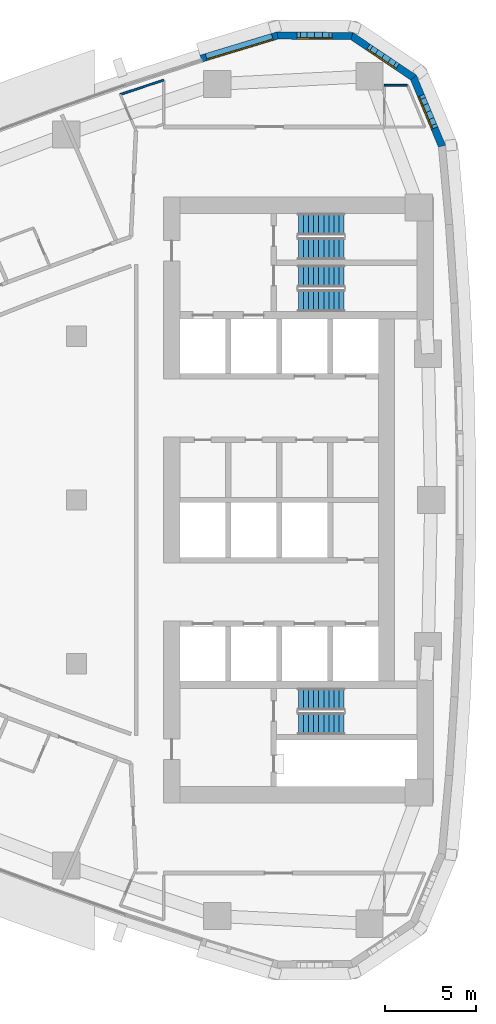
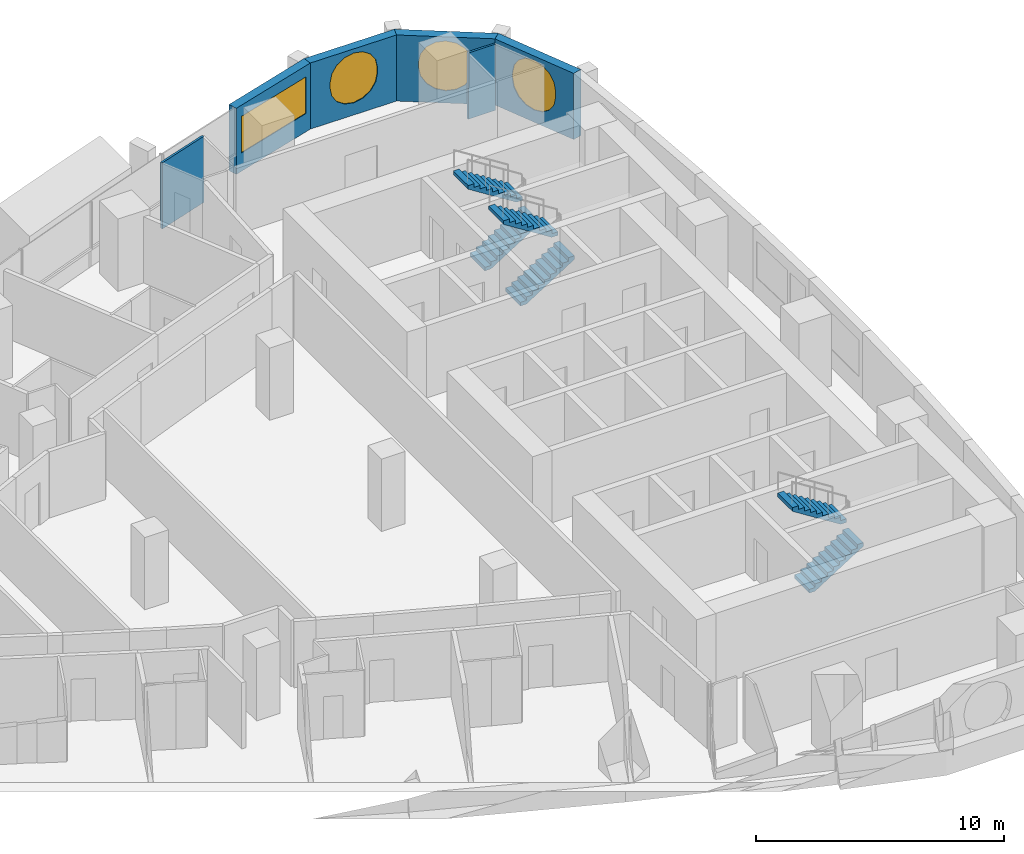
# One storey, part 13 of 17: 6 stair flights, 6 walls, 4 windows, 4 openings, 3 elements without a shape of their own.
"""IFC4 building model written with IfcOpenShell, lengths in metres."""

from ifc_helpers import new_model, si_unit, direction, frame, frame_2d, origin, place, context, subcontext, project, spatial, polyline, rectangle, outline, extrude, material, layer, layer_set, type_object, element, fill, aggregate, save


model = new_model("IFC4")

# Units and contexts
model_context = context("Model", 3, precision=1e-05, world=origin(), true_north=direction((0.0, 1.0)))
body_context = subcontext(model_context, "Body", "Model", "MODEL_VIEW")
ifc_project = project(units=[si_unit("LENGTHUNIT", "METRE"), si_unit("AREAUNIT", "SQUARE_METRE"), si_unit("VOLUMEUNIT", "CUBIC_METRE"), si_unit("PLANEANGLEUNIT", "RADIAN"), si_unit("MASSUNIT", "GRAM", prefix="KILO")], contexts=[model_context])

# Site, building, storey
site_placement = place(None, origin())
site = spatial("IfcSite", under=ifc_project, at=site_placement, CompositionType="ELEMENT")
building_placement = place(site_placement, origin())
building = spatial("IfcBuilding", under=site, at=building_placement, Name="Ostrand Prow Hotel Tower", CompositionType="ELEMENT")
storey_placement = place(building_placement, frame((0.0, 0.0, 151.5)))
storey = spatial("IfcBuildingStorey", under=building, at=storey_placement, Name="L37", CompositionType="ELEMENT", Elevation=151.5)

# Walls
ifc_material_1 = material(Name="Plasterboard partition")
ifc_layer_1 = layer(ifc_material_1, 0.10009765625)
ifc_layer_set_1 = layer_set([ifc_layer_1], Name="Plasterboard partition")
wall_type_1 = type_object("IfcWallType", Name="Partition 100 bathroom wall", PredefinedType="PARTITIONING", material=ifc_layer_set_1)
wall_1_placement = place(storey_placement, frame((61.9375, 22.800048828125, 0.0), z_axis=(0.0, 0.0, 1.0), x_axis=(1.0, 0.0, 0.0)))
element("IfcWall", 1, at=wall_1_placement, inside=storey, type_object=wall_type_1, Name="BATHROOM WALL", PredefinedType="PARTITIONING", context=body_context, shape_type="SweptSolid", body=[
    extrude(rectangle(XDim=1.2607421875, YDim=0.10009765625, at=frame_2d((0.63037109375, 0.0))), origin(), (0.0, 0.0, 1.0), 3.25),
])
wall_2_placement = place(storey_placement, frame((47.416015625, 22.289306640625, 0.0), z_axis=(0.0, 0.0, 1.0), x_axis=(0.949844078437, 0.312723882455, 0.0)))
element("IfcWall", 2, at=wall_2_placement, inside=storey, type_object=wall_type_1, Name="BATHROOM WALL", PredefinedType="PARTITIONING", context=body_context, shape_type="SweptSolid", body=[
    extrude(rectangle(XDim=2.510009765625, YDim=0.10009765625, at=frame_2d((1.2548828125, 0.0))), origin(), (0.0, 0.0, 1.0), 3.25),
])

# Wall, opening, window
ifc_material_2 = material(Name="Precast concrete C40/50", Category="concrete")
ifc_layer_2 = layer(ifc_material_2, 0.39990234375)
ifc_layer_set_2 = layer_set([ifc_layer_2], Name="Precast concrete C40/50")
wall_type_2 = type_object("IfcWallType", Name="Stone-faced precast wall 400 mm", PredefinedType="NOTDEFINED", material=ifc_layer_set_2)
wall_3_placement = place(storey_placement, frame((65.097900390625, 19.447021484375, 0.0), z_axis=(0.0, 0.0, 1.0), x_axis=(-0.383817293519, 0.923409056267, 0.0)))
wall_3 = element("IfcWall", 3, at=wall_3_placement, inside=storey, type_object=wall_type_2, Name="Stone-faced wall back 14", PredefinedType="NOTDEFINED", context=body_context, shape_type="SweptSolid", body=[
    extrude(outline(polyline([(-0.030517578125, -0.199951171875), (4.14453125, -0.199951171875), (4.02392578125, 0.199951171875), (0.030517578125, 0.199951171875), (-0.030517578125, -0.199951171875)])), origin(), (0.0, 0.0, 1.0), 3.25),
])
opening_1_placement = place(wall_3_placement, frame((0.94189453125, 0.0, 0.60009765625)))
opening_1 = element("IfcOpeningElement", 4, at=opening_1_placement, cuts=wall_3, Name="Opening WP1", PredefinedType="OPENING", context=body_context, shape_type="SweptSolid", body=[
    extrude(outline(polyline([(0.0, 1.35009765625), (0.083740234375, 1.77099609375), (0.322265625, 2.127685546875), (0.678955078125, 2.3662109375), (1.10009765625, 2.449951171875), (1.52099609375, 2.3662109375), (1.877685546875, 2.127685546875), (2.1162109375, 1.77099609375), (2.199951171875, 1.35009765625), (2.199951171875, 1.10009765625), (2.1162109375, 0.678955078125), (1.877685546875, 0.322265625), (1.52099609375, 0.083740234375), (1.10009765625, 0.0), (0.678955078125, 0.083740234375), (0.322265625, 0.322265625), (0.083740234375, 0.678955078125), (0.0, 1.099853515625), (0.0, 1.35009765625)])), frame((0.0, 0.2099609375, 0.0), z_axis=(0.0, -1.0, 0.0), x_axis=(1.0, 0.0, 0.0)), (0.0, 0.0, 1.0), 0.419921875),
])
ifc_material_3 = material(Name="Insulated glass in bronze frame", Category="glass")
window_type_1 = type_object("IfcWindowType", Name="Round-ended prow window 2200x2450", PartitioningType="SINGLE_PANEL", PredefinedType="WINDOW", material=ifc_material_3)
window_1_placement = place(opening_1_placement, origin())
window_1 = element("IfcWindow", 5, at=window_1_placement, inside=storey, type_object=window_type_1, Name="Window back 14.1", OverallHeight=2.449951171875, OverallWidth=2.199951171875, PartitioningType="SINGLE_PANEL", PredefinedType="WINDOW", context=body_context, shape_type="SweptSolid", body=[
    extrude(outline(polyline([(0.0, 1.35009765625), (0.083740234375, 1.77099609375), (0.322265625, 2.127685546875), (0.678955078125, 2.3662109375), (1.10009765625, 2.449951171875), (1.52099609375, 2.3662109375), (1.877685546875, 2.127685546875), (2.1162109375, 1.77099609375), (2.199951171875, 1.35009765625), (2.199951171875, 1.10009765625), (2.1162109375, 0.678955078125), (1.877685546875, 0.322265625), (1.52099609375, 0.083740234375), (1.10009765625, 0.0), (0.678955078125, 0.083740234375), (0.322265625, 0.322265625), (0.083740234375, 0.678955078125), (0.0, 1.099853515625), (0.0, 1.35009765625)])), frame((0.0, 0.169921875, 0.0), z_axis=(0.0, -1.0, 0.0), x_axis=(1.0, 0.0, 0.0)), (0.0, 0.0, 1.0), 0.06005859375),
])
fill(opening_1, window_1)

wall_4_placement = place(storey_placement, frame((63.5302734375, 23.218505859375, 0.0), z_axis=(0.0, 0.0, 1.0), x_axis=(-0.829642062482, 0.558295663749, 0.0)))
wall_4 = element("IfcWall", 6, at=wall_4_placement, inside=storey, type_object=wall_type_2, Name="Stone-faced wall back 15", PredefinedType="NOTDEFINED", context=body_context, shape_type="SweptSolid", body=[
    extrude(outline(polyline([(-0.060302734375, -0.199951171875), (4.144287109375, -0.199951171875), (4.023681640625, 0.199951171875), (0.060302734375, 0.199951171875), (-0.060302734375, -0.199951171875)])), origin(), (0.0, 0.0, 1.0), 3.25),
])
opening_2_placement = place(wall_4_placement, frame((0.94189453125, 0.0, 0.60009765625)))
opening_2 = element("IfcOpeningElement", 7, at=opening_2_placement, cuts=wall_4, Name="Opening WP1", PredefinedType="OPENING", context=body_context, shape_type="SweptSolid", body=[
    extrude(outline(polyline([(0.0, 1.35009765625), (0.083740234375, 1.77099609375), (0.322265625, 2.127685546875), (0.678955078125, 2.3662109375), (1.10009765625, 2.449951171875), (1.52099609375, 2.3662109375), (1.877685546875, 2.127685546875), (2.1162109375, 1.77099609375), (2.199951171875, 1.35009765625), (2.199951171875, 1.10009765625), (2.1162109375, 0.678955078125), (1.877685546875, 0.322265625), (1.52099609375, 0.083740234375), (1.10009765625, 0.0), (0.678955078125, 0.083740234375), (0.322265625, 0.322265625), (0.083740234375, 0.678955078125), (0.0, 1.099853515625), (0.0, 1.35009765625)])), frame((0.0, 0.2099609375, 0.0), z_axis=(0.0, -1.0, 0.0), x_axis=(1.0, 0.0, 0.0)), (0.0, 0.0, 1.0), 0.419921875),
])
window_2_placement = place(opening_2_placement, origin())
window_2 = element("IfcWindow", 8, at=window_2_placement, inside=storey, type_object=window_type_1, Name="Window back 15.1", OverallHeight=2.449951171875, OverallWidth=2.199951171875, PartitioningType="SINGLE_PANEL", PredefinedType="WINDOW", context=body_context, shape_type="SweptSolid", body=[
    extrude(outline(polyline([(0.0, 1.35009765625), (0.083740234375, 1.77099609375), (0.322265625, 2.127685546875), (0.678955078125, 2.3662109375), (1.10009765625, 2.449951171875), (1.52099609375, 2.3662109375), (1.877685546875, 2.127685546875), (2.1162109375, 1.77099609375), (2.199951171875, 1.35009765625), (2.199951171875, 1.10009765625), (2.1162109375, 0.678955078125), (1.877685546875, 0.322265625), (1.52099609375, 0.083740234375), (1.10009765625, 0.0), (0.678955078125, 0.083740234375), (0.322265625, 0.322265625), (0.083740234375, 0.678955078125), (0.0, 1.099853515625), (0.0, 1.35009765625)])), frame((0.0, 0.169921875, 0.0), z_axis=(0.0, -1.0, 0.0), x_axis=(1.0, 0.0, 0.0)), (0.0, 0.0, 1.0), 0.06005859375),
])
fill(opening_2, window_2)

wall_5_placement = place(storey_placement, frame((60.14208984375, 25.49853515625, 0.0), z_axis=(0.0, 0.0, 1.0), x_axis=(-0.99996933771, 0.007830941131, 0.0)))
wall_5 = element("IfcWall", 9, at=wall_5_placement, inside=storey, type_object=wall_type_2, Name="Stone-faced wall back 16", PredefinedType="NOTDEFINED", context=body_context, shape_type="SweptSolid", body=[
    extrude(outline(polyline([(-0.060302734375, -0.199951171875), (4.11474609375, -0.199951171875), (4.0537109375, 0.199951171875), (0.060302734375, 0.199951171875), (-0.060302734375, -0.199951171875)])), origin(), (0.0, 0.0, 1.0), 3.25),
])
opening_3_placement = place(wall_5_placement, frame((0.94189453125, 0.0, 0.60009765625)))
opening_3 = element("IfcOpeningElement", 10, at=opening_3_placement, cuts=wall_5, Name="Opening WP1", PredefinedType="OPENING", context=body_context, shape_type="SweptSolid", body=[
    extrude(outline(polyline([(0.0, 1.35009765625), (0.083740234375, 1.77099609375), (0.322265625, 2.127685546875), (0.678955078125, 2.3662109375), (1.10009765625, 2.449951171875), (1.52099609375, 2.3662109375), (1.877685546875, 2.127685546875), (2.1162109375, 1.77099609375), (2.199951171875, 1.35009765625), (2.199951171875, 1.10009765625), (2.1162109375, 0.678955078125), (1.877685546875, 0.322265625), (1.52099609375, 0.083740234375), (1.10009765625, 0.0), (0.678955078125, 0.083740234375), (0.322265625, 0.322265625), (0.083740234375, 0.678955078125), (0.0, 1.099853515625), (0.0, 1.35009765625)])), frame((0.0, 0.2099609375, 0.0), z_axis=(0.0, -1.0, 0.0), x_axis=(1.0, 0.0, 0.0)), (0.0, 0.0, 1.0), 0.419921875),
])
window_3_placement = place(opening_3_placement, origin())
window_3 = element("IfcWindow", 11, at=window_3_placement, inside=storey, type_object=window_type_1, Name="Window back 16.1", OverallHeight=2.449951171875, OverallWidth=2.199951171875, PartitioningType="SINGLE_PANEL", PredefinedType="WINDOW", context=body_context, shape_type="SweptSolid", body=[
    extrude(outline(polyline([(0.0, 1.35009765625), (0.083740234375, 1.77099609375), (0.322265625, 2.127685546875), (0.678955078125, 2.3662109375), (1.10009765625, 2.449951171875), (1.52099609375, 2.3662109375), (1.877685546875, 2.127685546875), (2.1162109375, 1.77099609375), (2.199951171875, 1.35009765625), (2.199951171875, 1.10009765625), (2.1162109375, 0.678955078125), (1.877685546875, 0.322265625), (1.52099609375, 0.083740234375), (1.10009765625, 0.0), (0.678955078125, 0.083740234375), (0.322265625, 0.322265625), (0.083740234375, 0.678955078125), (0.0, 1.099853515625), (0.0, 1.35009765625)])), frame((0.0, 0.169921875, 0.0), z_axis=(0.0, -1.0, 0.0), x_axis=(1.0, 0.0, 0.0)), (0.0, 0.0, 1.0), 0.06005859375),
])
fill(opening_3, window_3)

wall_6_placement = place(storey_placement, frame((56.05810546875, 25.530517578125, 0.0), z_axis=(0.0, 0.0, 1.0), x_axis=(-0.956964488344, -0.290205044837, 0.0)))
wall_6 = element("IfcWall", 12, at=wall_6_placement, inside=storey, type_object=wall_type_2, Name="Stone-faced wall back 17", PredefinedType="NOTDEFINED", context=body_context, shape_type="SweptSolid", body=[
    extrude(outline(polyline([(-0.030517578125, -0.199951171875), (4.387939453125, -0.199951171875), (4.387939453125, 0.199951171875), (0.030517578125, 0.199951171875), (-0.030517578125, -0.199951171875)])), origin(), (0.0, 0.0, 1.0), 3.25),
])
opening_4_placement = place(wall_6_placement, frame((0.2939453125, 0.0, 0.89990234375)))
opening_4 = element("IfcOpeningElement", 13, at=opening_4_placement, cuts=wall_6, Name="Opening WS3-38", PredefinedType="OPENING", context=body_context, shape_type="SweptSolid", body=[
    extrude(rectangle(XDim=3.800048828125, YDim=1.800048828125, at=frame_2d((1.89990234375, 0.89990234375))), frame((0.0, 0.2099609375, 0.0), z_axis=(0.0, -1.0, 0.0), x_axis=(1.0, 0.0, 0.0)), (0.0, 0.0, 1.0), 0.419921875),
])
ifc_material_4 = material(Name="Insulated glass in bronze frame", Category="glass")
window_type_2 = type_object("IfcWindowType", Name="Strip window 3800x1800", PartitioningType="SINGLE_PANEL", PredefinedType="WINDOW", material=ifc_material_4)
window_4_placement = place(opening_4_placement, origin())
window_4 = element("IfcWindow", 14, at=window_4_placement, inside=storey, type_object=window_type_2, Name="Window back 17.1", OverallHeight=1.800048828125, OverallWidth=3.800048828125, PartitioningType="SINGLE_PANEL", PredefinedType="WINDOW", context=body_context, shape_type="SweptSolid", body=[
    extrude(rectangle(XDim=3.800048828125, YDim=1.800048828125, at=frame_2d((1.89990234375, 0.89990234375))), frame((0.0, 0.169921875, 0.0), z_axis=(0.0, -1.0, 0.0), x_axis=(1.0, 0.0, 0.0)), (0.0, 0.0, 1.0), 0.06005859375),
])
fill(opening_4, window_4)

# Stair, stair flights
ifc_material_5 = material(Name="Concrete C40/50", Category="concrete")
stair_type = type_object("IfcStairType", Name="Exit stair 1200 upper zone", PredefinedType="HALF_TURN_STAIR", material=ifc_material_5)
stair_1_placement = place(storey_placement, origin())
stair_1 = element("IfcStair", 15, at=stair_1_placement, inside=storey, type_object=stair_type, Name="L37 ST1C", PredefinedType="HALF_TURN_STAIR")
ifc_material_6 = material(Name="Concrete C40/50", Category="concrete")
stair_flight_type = type_object("IfcStairFlightType", Name="Stair flight 1200 concrete", PredefinedType="STRAIGHT", material=ifc_material_6)
stair_flight_1_placement = place(storey_placement, frame((57.199951171875, 10.949951171875, 0.0), z_axis=(0.0, 0.0, 1.0), x_axis=(1.0, 0.0, 0.0)))
stair_flight_1 = element("IfcStairFlight", 16, at=stair_flight_1_placement, type_object=stair_flight_type, Name="ST1C flight 1", NumberOfRisers=10, NumberOfTreads=9, PredefinedType="STRAIGHT", RiserHeight=0.1775, TreadLength=0.28, context=body_context, shape_type="SweptSolid", body=[
    extrude(outline(polyline([(0.0, 0.0), (0.0, 0.177490234375), (0.280029296875, 0.177490234375), (0.280029296875, 0.35498046875), (0.56005859375, 0.35498046875), (0.56005859375, 0.532470703125), (0.840087890625, 0.532470703125), (0.840087890625, 0.7099609375), (1.1201171875, 0.7099609375), (1.1201171875, 0.887451171875), (1.39990234375, 0.887451171875), (1.39990234375, 1.06494140625), (1.679931640625, 1.06494140625), (1.679931640625, 1.242431640625), (1.9599609375, 1.242431640625), (1.9599609375, 1.419921875), (2.239990234375, 1.419921875), (2.239990234375, 1.597412109375), (2.52001953125, 1.597412109375), (2.52001953125, 1.77490234375), (2.52001953125, 1.419921875), (0.280029296875, 0.0), (0.0, 0.0)])), frame((0.0, 0.60009765625, 0.0), z_axis=(0.0, -1.0, 0.0), x_axis=(1.0, 0.0, 0.0)), (0.0, 0.0, 1.0), 1.199951171875),
])
stair_flight_2_placement = place(storey_placement, frame((59.719970703125, 12.300048828125, 1.77490234375), z_axis=(0.0, 0.0, 1.0), x_axis=(-1.0, 0.0, 0.0)))
stair_flight_2 = element("IfcStairFlight", 17, at=stair_flight_2_placement, type_object=stair_flight_type, Name="ST1C flight 2", NumberOfRisers=10, NumberOfTreads=9, PredefinedType="STRAIGHT", RiserHeight=0.1775, TreadLength=0.28, context=body_context, shape_type="SweptSolid", body=[
    extrude(outline(polyline([(0.0, 0.0), (0.0, 0.177490234375), (0.280029296875, 0.177490234375), (0.280029296875, 0.35498046875), (0.56005859375, 0.35498046875), (0.56005859375, 0.532470703125), (0.840087890625, 0.532470703125), (0.840087890625, 0.7099609375), (1.1201171875, 0.7099609375), (1.1201171875, 0.887451171875), (1.39990234375, 0.887451171875), (1.39990234375, 1.06494140625), (1.679931640625, 1.06494140625), (1.679931640625, 1.242431640625), (1.9599609375, 1.242431640625), (1.9599609375, 1.419921875), (2.239990234375, 1.419921875), (2.239990234375, 1.597412109375), (2.52001953125, 1.597412109375), (2.52001953125, 1.77490234375), (2.52001953125, 1.419921875), (0.280029296875, 0.0), (0.0, 0.0)])), frame((0.0, 0.60009765625, 0.0), z_axis=(0.0, -1.0, 0.0), x_axis=(1.0, 0.0, 0.0)), (0.0, 0.0, 1.0), 1.199951171875),
])
aggregate(stair_1, [stair_flight_1, stair_flight_2])

stair_2_placement = place(storey_placement, origin())
stair_2 = element("IfcStair", 18, at=stair_2_placement, inside=storey, type_object=stair_type, Name="L37 ST3C", PredefinedType="HALF_TURN_STAIR")
stair_flight_3_placement = place(storey_placement, frame((57.199951171875, 13.800048828125, 0.0), z_axis=(0.0, 0.0, 1.0), x_axis=(1.0, 0.0, 0.0)))
stair_flight_3 = element("IfcStairFlight", 19, at=stair_flight_3_placement, type_object=stair_flight_type, Name="ST3C flight 1", NumberOfRisers=10, NumberOfTreads=9, PredefinedType="STRAIGHT", RiserHeight=0.1775, TreadLength=0.28, context=body_context, shape_type="SweptSolid", body=[
    extrude(outline(polyline([(0.0, 0.0), (0.0, 0.177490234375), (0.280029296875, 0.177490234375), (0.280029296875, 0.35498046875), (0.56005859375, 0.35498046875), (0.56005859375, 0.532470703125), (0.840087890625, 0.532470703125), (0.840087890625, 0.7099609375), (1.1201171875, 0.7099609375), (1.1201171875, 0.887451171875), (1.39990234375, 0.887451171875), (1.39990234375, 1.06494140625), (1.679931640625, 1.06494140625), (1.679931640625, 1.242431640625), (1.9599609375, 1.242431640625), (1.9599609375, 1.419921875), (2.239990234375, 1.419921875), (2.239990234375, 1.597412109375), (2.52001953125, 1.597412109375), (2.52001953125, 1.77490234375), (2.52001953125, 1.419921875), (0.280029296875, 0.0), (0.0, 0.0)])), frame((0.0, 0.60009765625, 0.0), z_axis=(0.0, -1.0, 0.0), x_axis=(1.0, 0.0, 0.0)), (0.0, 0.0, 1.0), 1.199951171875),
])
stair_flight_4_placement = place(storey_placement, frame((59.719970703125, 15.14990234375, 1.77490234375), z_axis=(0.0, 0.0, 1.0), x_axis=(-1.0, 0.0, 0.0)))
stair_flight_4 = element("IfcStairFlight", 20, at=stair_flight_4_placement, type_object=stair_flight_type, Name="ST3C flight 2", NumberOfRisers=10, NumberOfTreads=9, PredefinedType="STRAIGHT", RiserHeight=0.1775, TreadLength=0.28, context=body_context, shape_type="SweptSolid", body=[
    extrude(outline(polyline([(0.0, 0.0), (0.0, 0.177490234375), (0.280029296875, 0.177490234375), (0.280029296875, 0.35498046875), (0.56005859375, 0.35498046875), (0.56005859375, 0.532470703125), (0.840087890625, 0.532470703125), (0.840087890625, 0.7099609375), (1.1201171875, 0.7099609375), (1.1201171875, 0.887451171875), (1.39990234375, 0.887451171875), (1.39990234375, 1.06494140625), (1.679931640625, 1.06494140625), (1.679931640625, 1.242431640625), (1.9599609375, 1.242431640625), (1.9599609375, 1.419921875), (2.239990234375, 1.419921875), (2.239990234375, 1.597412109375), (2.52001953125, 1.597412109375), (2.52001953125, 1.77490234375), (2.52001953125, 1.419921875), (0.280029296875, 0.0), (0.0, 0.0)])), frame((0.0, 0.60009765625, 0.0), z_axis=(0.0, -1.0, 0.0), x_axis=(1.0, 0.0, 0.0)), (0.0, 0.0, 1.0), 1.199951171875),
])
aggregate(stair_2, [stair_flight_3, stair_flight_4])

stair_3_placement = place(storey_placement, origin())
stair_3 = element("IfcStair", 21, at=stair_3_placement, inside=storey, type_object=stair_type, Name="L37 ST2C", PredefinedType="HALF_TURN_STAIR")
stair_flight_5_placement = place(storey_placement, frame((57.199951171875, -12.300048828125, 0.0), z_axis=(0.0, 0.0, 1.0), x_axis=(1.0, 0.0, 0.0)))
stair_flight_5 = element("IfcStairFlight", 22, at=stair_flight_5_placement, type_object=stair_flight_type, Name="ST2C flight 1", NumberOfRisers=10, NumberOfTreads=9, PredefinedType="STRAIGHT", RiserHeight=0.1775, TreadLength=0.28, context=body_context, shape_type="SweptSolid", body=[
    extrude(outline(polyline([(0.0, 0.0), (0.0, 0.177490234375), (0.280029296875, 0.177490234375), (0.280029296875, 0.35498046875), (0.56005859375, 0.35498046875), (0.56005859375, 0.532470703125), (0.840087890625, 0.532470703125), (0.840087890625, 0.7099609375), (1.1201171875, 0.7099609375), (1.1201171875, 0.887451171875), (1.39990234375, 0.887451171875), (1.39990234375, 1.06494140625), (1.679931640625, 1.06494140625), (1.679931640625, 1.242431640625), (1.9599609375, 1.242431640625), (1.9599609375, 1.419921875), (2.239990234375, 1.419921875), (2.239990234375, 1.597412109375), (2.52001953125, 1.597412109375), (2.52001953125, 1.77490234375), (2.52001953125, 1.419921875), (0.280029296875, 0.0), (0.0, 0.0)])), frame((0.0, 0.60009765625, 0.0), z_axis=(0.0, -1.0, 0.0), x_axis=(1.0, 0.0, 0.0)), (0.0, 0.0, 1.0), 1.199951171875),
])
stair_flight_6_placement = place(storey_placement, frame((59.719970703125, -10.949951171875, 1.77490234375), z_axis=(0.0, 0.0, 1.0), x_axis=(-1.0, 0.0, 0.0)))
stair_flight_6 = element("IfcStairFlight", 23, at=stair_flight_6_placement, type_object=stair_flight_type, Name="ST2C flight 2", NumberOfRisers=10, NumberOfTreads=9, PredefinedType="STRAIGHT", RiserHeight=0.1775, TreadLength=0.28, context=body_context, shape_type="SweptSolid", body=[
    extrude(outline(polyline([(0.0, 0.0), (0.0, 0.177490234375), (0.280029296875, 0.177490234375), (0.280029296875, 0.35498046875), (0.56005859375, 0.35498046875), (0.56005859375, 0.532470703125), (0.840087890625, 0.532470703125), (0.840087890625, 0.7099609375), (1.1201171875, 0.7099609375), (1.1201171875, 0.887451171875), (1.39990234375, 0.887451171875), (1.39990234375, 1.06494140625), (1.679931640625, 1.06494140625), (1.679931640625, 1.242431640625), (1.9599609375, 1.242431640625), (1.9599609375, 1.419921875), (2.239990234375, 1.419921875), (2.239990234375, 1.597412109375), (2.52001953125, 1.597412109375), (2.52001953125, 1.77490234375), (2.52001953125, 1.419921875), (0.280029296875, 0.0), (0.0, 0.0)])), frame((0.0, 0.60009765625, 0.0), z_axis=(0.0, -1.0, 0.0), x_axis=(1.0, 0.0, 0.0)), (0.0, 0.0, 1.0), 1.199951171875),
])
aggregate(stair_3, [stair_flight_5, stair_flight_6])

save(model, "model.ifc")
